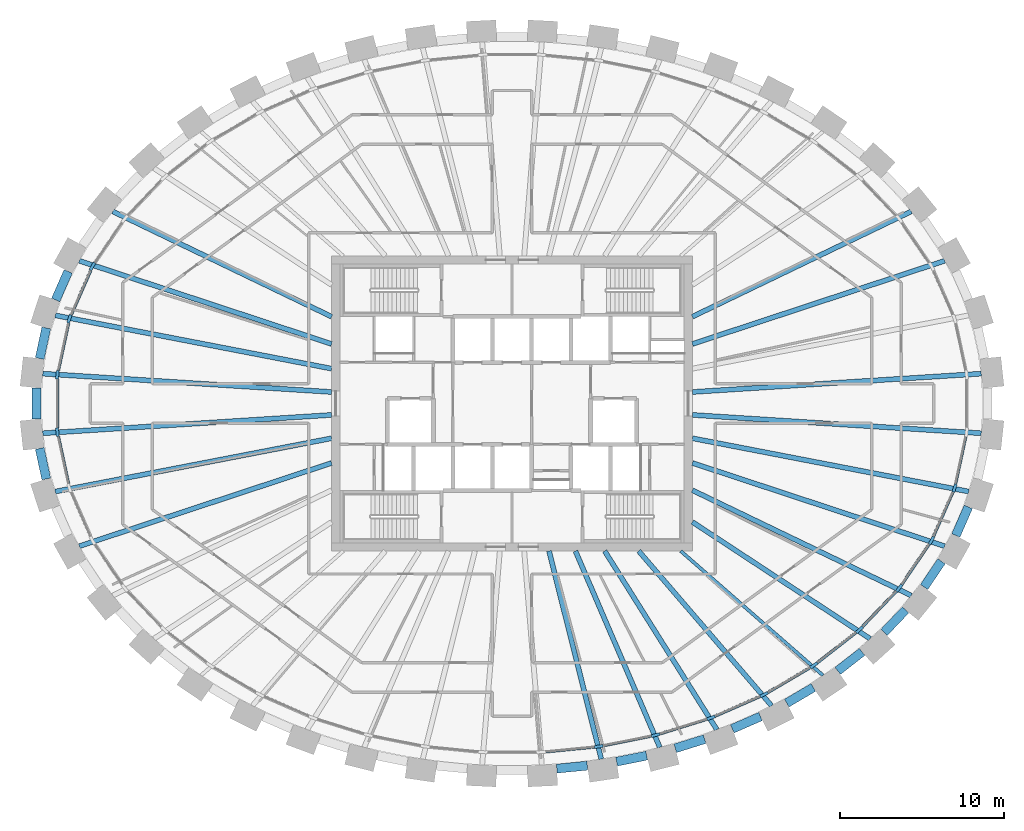
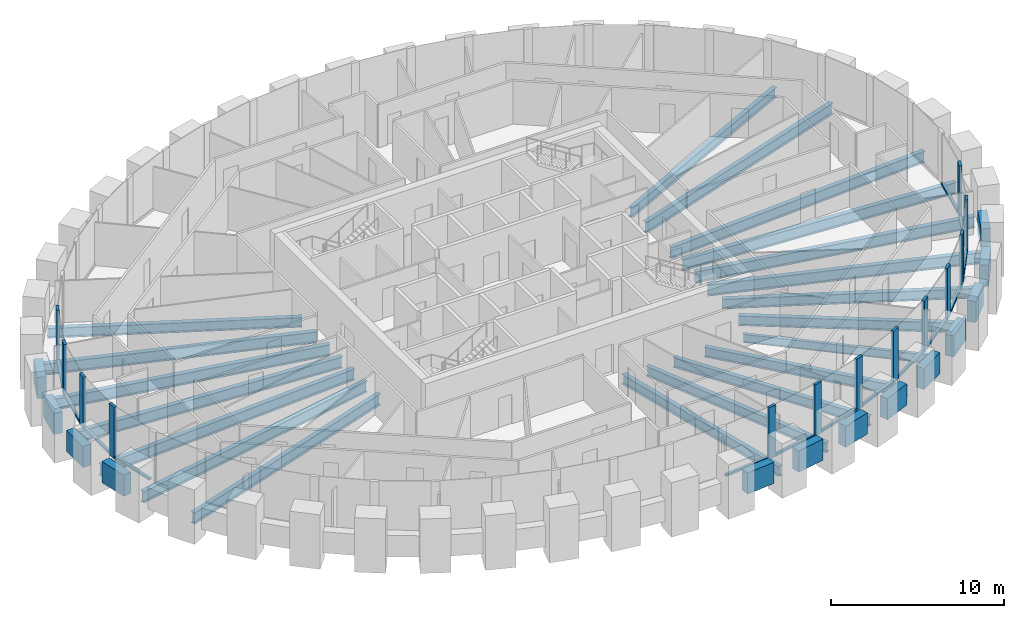
# One storey, part 2 of 11: 33 beams, 27 members, 1 element without a shape of its own.
"""IFC4 building model written with IfcOpenShell, lengths in metres."""

from ifc_helpers import new_model, si_unit, direction, frame, origin, origin_2d, place, context, subcontext, project, spatial, rectangle, i_section, extrude, source, transform, mapped, material, material_profile, profile_set, type_object, element, aggregate, save


model = new_model("IFC4")

# Units and contexts
model_context = context("Model", 3, precision=1e-05, world=origin(), true_north=direction((0.0, 1.0)))
body_context = subcontext(model_context, "Body", "Model", "MODEL_VIEW")
ifc_project = project(units=[si_unit("LENGTHUNIT", "METRE"), si_unit("AREAUNIT", "SQUARE_METRE"), si_unit("VOLUMEUNIT", "CUBIC_METRE"), si_unit("PLANEANGLEUNIT", "RADIAN"), si_unit("MASSUNIT", "GRAM", prefix="KILO")], contexts=[model_context])

# Site, building, storey
site_placement = place(None, origin())
site = spatial("IfcSite", under=ifc_project, at=site_placement, CompositionType="ELEMENT")
building_placement = place(site_placement, origin())
building = spatial("IfcBuilding", under=site, at=building_placement, Name="Embergate Tower", CompositionType="ELEMENT")
storey_placement = place(building_placement, frame((0.0, 0.0, 328.60009765625)))
storey = spatial("IfcBuildingStorey", under=building, at=storey_placement, Name="L77", CompositionType="ELEMENT", Elevation=328.60009765625)

# Beams
ifc_material_1 = material(Name="Concrete C50", Category="concrete")
ifc_material_profile_1 = material_profile(ifc_material_1, rectangle(XDim=0.550048828125, YDim=1.5, at=origin_2d()), Name="RC 550x1500")
ifc_profile_set_1 = profile_set([ifc_material_profile_1], Name="Concrete C50")
beam_type_1 = type_object("IfcBeamType", Name="Spandrel beam RC 550x1500 C50", PredefinedType="BEAM", material=ifc_profile_set_1)
shared_shape_1 = source(origin(), body_context, "Body", "SweptSolid", [
    extrude(rectangle(XDim=0.550048828125, YDim=1.5, at=origin_2d()), origin(), (0.0, 0.0, 1.0), 1.904541015625),
])
for number, where, z_axis, x_axis, name in (
    (1, (-28.40087890625, 4.60498046875, 0.0), (-0.210098077345, -0.977680314774, 0.0), (0.977680314774, -0.210098077345, 0.0), "SPN-L77-20"),
    (2, (-28.801025390625, -2.742919921875, 0.0), (0.210098077345, -0.977680314774, 0.0), (0.977680314774, 0.210098077345, 0.0), "SPN-L77-22"),
):
    element("IfcBeam", number, at=place(storey_placement, frame(where, z_axis=z_axis, x_axis=x_axis)), inside=storey, type_object=beam_type_1, Name=name, PredefinedType="BEAM", context=body_context, shape_type="MappedRepresentation", body=[
        mapped(shared_shape_1, transform((0.0, 0.0, 0.0))),
    ])
shared_shape_2 = source(origin(), body_context, "Body", "SweptSolid", [
    extrude(rectangle(XDim=0.550048828125, YDim=1.5, at=origin_2d()), origin(), (0.0, 0.0, 1.0), 1.897705078125),
])
for number, where, z_axis, x_axis, name in (
    (3, (-27.06591796875, 8.049072265625, 0.0), (-0.401513845594, -0.915852953151, 0.0), (0.915852953151, -0.401513845594, 0.0), "SPN-L77-19"),
    (4, (27.06591796875, -8.049072265625, 0.0), (0.401513845594, 0.915852953151, 0.0), (-0.915852953151, 0.401513845594, 0.0), "SPN-L77-41"),
):
    element("IfcBeam", number, at=place(storey_placement, frame(where, z_axis=z_axis, x_axis=x_axis)), inside=storey, type_object=beam_type_1, Name=name, PredefinedType="BEAM", context=body_context, shape_type="MappedRepresentation", body=[
        mapped(shared_shape_2, transform((0.0, 0.0, 0.0))),
    ])
shared_shape_3 = source(origin(), body_context, "Body", "SweptSolid", [
    extrude(rectangle(XDim=0.550048828125, YDim=1.5, at=origin_2d()), origin(), (0.0, 0.0, 1.0), 1.893798828125),
])
beam_1_placement = place(storey_placement, frame((25.12890625, -11.18994140625, 0.0), z_axis=(0.562440477268, 0.826837777034, 0.0), x_axis=(-0.826837777034, 0.562440477268, 0.0)))
element("IfcBeam", 5, at=beam_1_placement, inside=storey, type_object=beam_type_1, Name="SPN-L77-40", PredefinedType="BEAM", context=body_context, shape_type="MappedRepresentation", body=[
    mapped(shared_shape_3, transform((0.0, 0.0, 0.0))),
])
shared_shape_4 = source(origin(), body_context, "Body", "SweptSolid", [
    extrude(rectangle(XDim=0.550048828125, YDim=1.5, at=origin_2d()), origin(), (0.0, 0.0, 1.0), 1.8876953125),
])
beam_2_placement = place(storey_placement, frame((22.695068359375, -13.9560546875, 0.0), z_axis=(0.69022655599, 0.723593325982, 0.0), x_axis=(-0.723593325982, 0.69022655599, 0.0)))
element("IfcBeam", 6, at=beam_2_placement, inside=storey, type_object=beam_type_1, Name="SPN-L77-39", PredefinedType="BEAM", context=body_context, shape_type="MappedRepresentation", body=[
    mapped(shared_shape_4, transform((0.0, 0.0, 0.0))),
])
shared_shape_5 = source(origin(), body_context, "Body", "SweptSolid", [
    extrude(rectangle(XDim=0.550048828125, YDim=1.5, at=origin_2d()), origin(), (0.0, 0.0, 1.0), 1.88232421875),
])
beam_3_placement = place(storey_placement, frame((19.864013671875, -16.30810546875, 0.0), z_axis=(0.788303508782, 0.615286582043, 0.0), x_axis=(-0.615286582043, 0.788303508782, 0.0)))
element("IfcBeam", 7, at=beam_3_placement, inside=storey, type_object=beam_type_1, Name="SPN-L77-38", PredefinedType="BEAM", context=body_context, shape_type="MappedRepresentation", body=[
    mapped(shared_shape_5, transform((0.0, 0.0, 0.0))),
])
shared_shape_6 = source(origin(), body_context, "Body", "SweptSolid", [
    extrude(rectangle(XDim=0.550048828125, YDim=1.5, at=origin_2d()), origin(), (0.0, 0.0, 1.0), 1.87939453125),
])
beam_4_placement = place(storey_placement, frame((16.756103515625, -18.27294921875, 0.0), z_axis=(0.861930875636, 0.507025803708, 0.0), x_axis=(-0.507025803708, 0.861930875636, 0.0)))
element("IfcBeam", 8, at=beam_4_placement, inside=storey, type_object=beam_type_1, Name="SPN-L77-37", PredefinedType="BEAM", context=body_context, shape_type="MappedRepresentation", body=[
    mapped(shared_shape_6, transform((0.0, 0.0, 0.0))),
])
shared_shape_7 = source(origin(), body_context, "Body", "SweptSolid", [
    extrude(rectangle(XDim=0.550048828125, YDim=1.5, at=origin_2d()), origin(), (0.0, 0.0, 1.0), 1.876708984375),
])
beam_5_placement = place(storey_placement, frame((13.43310546875, -19.842041015625, 0.0), z_axis=(0.916452657221, 0.400143133231, 0.0), x_axis=(-0.400143133231, 0.916452657221, 0.0)))
element("IfcBeam", 9, at=beam_5_placement, inside=storey, type_object=beam_type_1, Name="SPN-L77-36", PredefinedType="BEAM", context=body_context, shape_type="MappedRepresentation", body=[
    mapped(shared_shape_7, transform((0.0, 0.0, 0.0))),
])
shared_shape_8 = source(origin(), body_context, "Body", "SweptSolid", [
    extrude(rectangle(XDim=0.550048828125, YDim=1.5, at=origin_2d()), origin(), (0.0, 0.0, 1.0), 1.873779296875),
])
for number, where, z_axis, x_axis, name in (
    (10, (6.376953125, -21.842041015625, 0.0), (0.980404898084, 0.196992984173, 0.0), (-0.196992984173, 0.980404898084, 0.0), "SPN-L77-34"),
    (11, (9.9580078125, -21.028076171875, 0.0), (0.954776255033, 0.297325247542, 0.0), (-0.297325247542, 0.954776255033, 0.0), "SPN-L77-35"),
):
    element("IfcBeam", number, at=place(storey_placement, frame(where, z_axis=z_axis, x_axis=x_axis)), inside=storey, type_object=beam_type_1, Name=name, PredefinedType="BEAM", context=body_context, shape_type="MappedRepresentation", body=[
        mapped(shared_shape_8, transform((0.0, 0.0, 0.0))),
    ])
shared_shape_9 = source(origin(), body_context, "Body", "SweptSolid", [
    extrude(rectangle(XDim=0.550048828125, YDim=1.5, at=origin_2d()), origin(), (0.0, 0.0, 1.0), 1.87109375),
])
beam_6_placement = place(storey_placement, frame((2.73193359375, -22.27099609375, 0.0), z_axis=(0.995148946648, 0.098379743775, 0.0), x_axis=(-0.098379743775, 0.995148946648, 0.0)))
element("IfcBeam", 12, at=beam_6_placement, inside=storey, type_object=beam_type_1, Name="SPN-L77-33", PredefinedType="BEAM", context=body_context, shape_type="MappedRepresentation", body=[
    mapped(shared_shape_9, transform((0.0, 0.0, 0.0))),
])
shared_shape_10 = source(origin(), body_context, "Body", "SweptSolid", [
    extrude(rectangle(XDim=0.550048828125, YDim=1.5, at=origin_2d()), origin(), (0.0, 0.0, 1.0), 1.90576171875),
])
beam_7_placement = place(storey_placement, frame((-28.991943359375, 0.952880859375, 0.0), z_axis=(0.0, -1.0, 0.0), x_axis=(1.0, 0.0, 0.0)))
element("IfcBeam", 13, at=beam_7_placement, inside=storey, type_object=beam_type_1, Name="SPN-L77-21", PredefinedType="BEAM", context=body_context, shape_type="MappedRepresentation", body=[
    mapped(shared_shape_10, transform((0.0, 0.0, 0.0))),
])
ifc_material_2 = material(Name="Steel Q355B", Category="steel")
ifc_material_profile_2 = material_profile(ifc_material_2, i_section(OverallWidth=0.300048828125, OverallDepth=0.800048828125, WebThickness=0.013916015625, FlangeThickness=0.02587890625, FilletRadius=0.028076171875, at=origin_2d()), Name="HN 800x300x14x26")
ifc_profile_set_2 = profile_set([ifc_material_profile_2], Name="Steel Q355 grade B")
beam_type_2 = type_object("IfcBeamType", Name="Radial girder HN 800x300x14x26", PredefinedType="BEAM", material=ifc_profile_set_2)
shared_shape_11 = source(origin(), body_context, "Body", "SweptSolid", [
    extrude(i_section(OverallWidth=0.300048828125, OverallDepth=0.800048828125, WebThickness=0.013916015625, FlangeThickness=0.02587890625, FilletRadius=0.028076171875, at=origin_2d()), origin(), (0.0, 0.0, 1.0), 17.65234375),
])
for number, where, z_axis, x_axis, name in (
    (14, (28.616943359375, 1.818115234375, -0.60009765625), (-0.997988286381, -0.063398582364, 0.0), (0.063398582364, -0.997988286381, 0.0), "GIR-L77-00"),
    (15, (-28.616943359375, 1.818115234375, -0.60009765625), (0.997988286381, -0.063398582364, 0.0), (0.063398582364, 0.997988286381, 0.0), "GIR-L77-21"),
    (16, (-28.616943359375, -1.818115234375, -0.60009765625), (0.997988286381, 0.063398582364, 0.0), (-0.063398582364, 0.997988286381, 0.0), "GIR-L77-22"),
    (17, (28.616943359375, -1.818115234375, -0.60009765625), (-0.997988286381, 0.063398582364, 0.0), (-0.063398582364, -0.997988286381, 0.0), "GIR-L77-43"),
):
    element("IfcBeam", number, at=place(storey_placement, frame(where, z_axis=z_axis, x_axis=x_axis)), inside=storey, type_object=beam_type_2, Name=name, PredefinedType="BEAM", context=body_context, shape_type="MappedRepresentation", body=[
        mapped(shared_shape_11, transform((0.0, 0.0, 0.0))),
    ])
shared_shape_12 = source(origin(), body_context, "Body", "SweptSolid", [
    extrude(i_section(OverallWidth=0.300048828125, OverallDepth=0.800048828125, WebThickness=0.013916015625, FlangeThickness=0.02587890625, FilletRadius=0.028076171875, at=origin_2d()), origin(), (0.0, 0.0, 1.0), 17.162841796875),
])
for number, where, z_axis, x_axis, name in (
    (18, (-27.85205078125, 5.373046875, -0.60009765625), (0.981896091736, -0.189420339547, 0.0), (0.189420339547, 0.981896091736, 0.0), "GIR-L77-20"),
    (19, (-27.85205078125, -5.373046875, -0.60009765625), (0.981896091736, 0.189420339547, 0.0), (-0.189420339547, 0.981896091736, 0.0), "GIR-L77-23"),
    (20, (27.85205078125, -5.373046875, -0.60009765625), (-0.981896091736, 0.189420339547, 0.0), (-0.189420339547, -0.981896091736, 0.0), "GIR-L77-42"),
):
    element("IfcBeam", number, at=place(storey_placement, frame(where, z_axis=z_axis, x_axis=x_axis)), inside=storey, type_object=beam_type_2, Name=name, PredefinedType="BEAM", context=body_context, shape_type="MappedRepresentation", body=[
        mapped(shared_shape_12, transform((0.0, 0.0, 0.0))),
    ])
shared_shape_13 = source(origin(), body_context, "Body", "SweptSolid", [
    extrude(i_section(OverallWidth=0.300048828125, OverallDepth=0.800048828125, WebThickness=0.013916015625, FlangeThickness=0.02587890625, FilletRadius=0.028076171875, at=origin_2d()), origin(), (0.0, 0.0, 1.0), 16.20654296875),
])
for number, where, z_axis, x_axis, name in (
    (21, (26.39111328125, 8.7041015625, -0.60009765625), (-0.949681803932, -0.313216333037, 0.0), (0.313216333037, -0.949681803932, 0.0), "GIR-L77-02"),
    (22, (-26.39111328125, 8.7041015625, -0.60009765625), (0.949681803932, -0.313216333037, 0.0), (0.313216333037, 0.949681803932, 0.0), "GIR-L77-19"),
    (23, (-26.39111328125, -8.7041015625, -0.60009765625), (0.949681803932, 0.313216333037, 0.0), (-0.313216333037, 0.949681803932, 0.0), "GIR-L77-24"),
    (24, (26.39111328125, -8.7041015625, -0.60009765625), (-0.949681803932, 0.313216333037, 0.0), (-0.313216333037, -0.949681803932, 0.0), "GIR-L77-41"),
):
    element("IfcBeam", number, at=place(storey_placement, frame(where, z_axis=z_axis, x_axis=x_axis)), inside=storey, type_object=beam_type_2, Name=name, PredefinedType="BEAM", context=body_context, shape_type="MappedRepresentation", body=[
        mapped(shared_shape_13, transform((0.0, 0.0, 0.0))),
    ])
ifc_material_profile_3 = material_profile(ifc_material_2, i_section(OverallWidth=0.300048828125, OverallDepth=0.699951171875, WebThickness=0.012939453125, FlangeThickness=0.02392578125, FilletRadius=0.01806640625, at=origin_2d()), Name="HN 700x300x13x24")
ifc_profile_set_3 = profile_set([ifc_material_profile_3], Name="Steel Q355 grade B")
beam_type_3 = type_object("IfcBeamType", Name="Radial girder HN 700x300x13x24", PredefinedType="BEAM", material=ifc_profile_set_3)
shared_shape_14 = source(origin(), body_context, "Body", "SweptSolid", [
    extrude(i_section(OverallWidth=0.300048828125, OverallDepth=0.699951171875, WebThickness=0.012939453125, FlangeThickness=0.02392578125, FilletRadius=0.01806640625, at=origin_2d()), origin(), (0.0, 0.0, 1.0), 14.808837890625),
])
for number, where, z_axis, x_axis, name in (
    (25, (24.344970703125, 11.7119140625, -0.550048828125), (-0.90114505666, -0.43351768921, 0.0), (0.43351768921, -0.90114505666, 0.0), "GIR-L77-03"),
    (26, (-24.344970703125, 11.7119140625, -0.550048828125), (0.90114505666, -0.43351768921, 0.0), (0.43351768921, 0.90114505666, 0.0), "GIR-L77-18"),
    (27, (24.344970703125, -11.7119140625, -0.550048828125), (-0.90114505666, 0.43351768921, 0.0), (-0.43351768921, -0.90114505666, 0.0), "GIR-L77-40"),
):
    element("IfcBeam", number, at=place(storey_placement, frame(where, z_axis=z_axis, x_axis=x_axis)), inside=storey, type_object=beam_type_3, Name=name, PredefinedType="BEAM", context=body_context, shape_type="MappedRepresentation", body=[
        mapped(shared_shape_14, transform((0.0, 0.0, 0.0))),
    ])
shared_shape_15 = source(origin(), body_context, "Body", "SweptSolid", [
    extrude(i_section(OverallWidth=0.300048828125, OverallDepth=0.699951171875, WebThickness=0.012939453125, FlangeThickness=0.02392578125, FilletRadius=0.01806640625, at=origin_2d()), origin(), (0.0, 0.0, 1.0), 12.963134765625),
])
beam_8_placement = place(storey_placement, frame((21.833984375, -14.344970703125, -0.550048828125), z_axis=(-0.835760548257, 0.549094077529, 0.0), x_axis=(-0.549094077529, -0.835760548257, 0.0)))
element("IfcBeam", 28, at=beam_8_placement, inside=storey, type_object=beam_type_3, Name="GIR-L77-39", PredefinedType="BEAM", context=body_context, shape_type="MappedRepresentation", body=[
    mapped(shared_shape_15, transform((0.0, 0.0, 0.0))),
])
ifc_material_profile_4 = material_profile(ifc_material_2, i_section(OverallWidth=0.199951171875, OverallDepth=0.60009765625, WebThickness=0.010986328125, FlangeThickness=0.01708984375, FilletRadius=0.012939453125, at=origin_2d()), Name="HN 600x200x11x17")
ifc_profile_set_4 = profile_set([ifc_material_profile_4], Name="Steel Q355 grade B")
beam_type_4 = type_object("IfcBeamType", Name="Radial girder HN 600x200x11x17", PredefinedType="BEAM", material=ifc_profile_set_4)
shared_shape_16 = source(origin(), body_context, "Body", "SweptSolid", [
    extrude(i_section(OverallWidth=0.199951171875, OverallDepth=0.60009765625, WebThickness=0.010986328125, FlangeThickness=0.01708984375, FilletRadius=0.012939453125, at=origin_2d()), origin(), (0.0, 0.0, 1.0), 11.52197265625),
])
beam_9_placement = place(storey_placement, frame((18.965087890625, -16.5849609375, -0.5), z_axis=(-0.752748620868, 0.658308069054, 0.0), x_axis=(-0.658308069054, -0.752748620868, 0.0)))
element("IfcBeam", 29, at=beam_9_placement, inside=storey, type_object=beam_type_4, Name="GIR-L77-38", PredefinedType="BEAM", context=body_context, shape_type="MappedRepresentation", body=[
    mapped(shared_shape_16, transform((0.0, 0.0, 0.0))),
])
shared_shape_17 = source(origin(), body_context, "Body", "SweptSolid", [
    extrude(i_section(OverallWidth=0.300048828125, OverallDepth=0.699951171875, WebThickness=0.012939453125, FlangeThickness=0.02392578125, FilletRadius=0.01806640625, at=origin_2d()), origin(), (0.0, 0.0, 1.0), 12.43115234375),
])
beam_10_placement = place(storey_placement, frame((15.826904296875, -18.430908203125, -0.550048828125), z_axis=(-0.651497878896, 0.758650455608, 0.0), x_axis=(-0.758650455608, -0.651497878896, 0.0)))
element("IfcBeam", 30, at=beam_10_placement, inside=storey, type_object=beam_type_3, Name="GIR-L77-37", PredefinedType="BEAM", context=body_context, shape_type="MappedRepresentation", body=[
    mapped(shared_shape_17, transform((0.0, 0.0, 0.0))),
])
shared_shape_18 = source(origin(), body_context, "Body", "SweptSolid", [
    extrude(i_section(OverallWidth=0.300048828125, OverallDepth=0.699951171875, WebThickness=0.012939453125, FlangeThickness=0.02392578125, FilletRadius=0.01806640625, at=origin_2d()), origin(), (0.0, 0.0, 1.0), 12.8583984375),
])
beam_11_placement = place(storey_placement, frame((12.490966796875, -19.888916015625, -0.550048828125), z_axis=(-0.531859653709, 0.846832515174, 0.0), x_axis=(-0.846832515174, -0.531859653709, 0.0)))
element("IfcBeam", 31, at=beam_11_placement, inside=storey, type_object=beam_type_3, Name="GIR-L77-36", PredefinedType="BEAM", context=body_context, shape_type="MappedRepresentation", body=[
    mapped(shared_shape_18, transform((0.0, 0.0, 0.0))),
])
shared_shape_19 = source(origin(), body_context, "Body", "SweptSolid", [
    extrude(i_section(OverallWidth=0.300048828125, OverallDepth=0.699951171875, WebThickness=0.012939453125, FlangeThickness=0.02392578125, FilletRadius=0.01806640625, at=origin_2d()), origin(), (0.0, 0.0, 1.0), 13.0302734375),
])
beam_12_placement = place(storey_placement, frame((9.014892578125, -20.970947265625, -0.550048828125), z_axis=(-0.394929867162, 0.918711271305, 0.0), x_axis=(-0.918711271305, -0.394929867162, 0.0)))
element("IfcBeam", 32, at=beam_12_placement, inside=storey, type_object=beam_type_3, Name="GIR-L77-35", PredefinedType="BEAM", context=body_context, shape_type="MappedRepresentation", body=[
    mapped(shared_shape_19, transform((0.0, 0.0, 0.0))),
])
shared_shape_20 = source(origin(), body_context, "Body", "SweptSolid", [
    extrude(i_section(OverallWidth=0.300048828125, OverallDepth=0.699951171875, WebThickness=0.012939453125, FlangeThickness=0.02392578125, FilletRadius=0.01806640625, at=origin_2d()), origin(), (0.0, 0.0, 1.0), 13.080810546875),
])
beam_13_placement = place(storey_placement, frame((5.444091796875, -21.68701171875, -0.550048828125), z_axis=(-0.243492869498, 0.969902687131, 0.0), x_axis=(-0.969902687131, -0.243492869498, 0.0)))
element("IfcBeam", 33, at=beam_13_placement, inside=storey, type_object=beam_type_3, Name="GIR-L77-34", PredefinedType="BEAM", context=body_context, shape_type="MappedRepresentation", body=[
    mapped(shared_shape_20, transform((0.0, 0.0, 0.0))),
])

# Curtain wall, members
ifc_material_3 = material(Name="Aluminium and glass", Category="aluminium")
curtain_wall_type = type_object("IfcCurtainWallType", Name="Recessed office glazing", PredefinedType="NOTDEFINED", material=ifc_material_3)
curtain_wall_placement = place(storey_placement, origin())
curtain_wall = element("IfcCurtainWall", 34, at=curtain_wall_placement, inside=storey, type_object=curtain_wall_type, Name="Recessed office glazing ring", ObjectType="RECESSED OFFICE GLAZING", PredefinedType="USERDEFINED")
ifc_material_4 = material(Name="Aluminium, thermally broken", Category="aluminium")
ifc_material_profile_5 = material_profile(ifc_material_4, rectangle(XDim=0.179931640625, YDim=0.52001953125, at=origin_2d()), Name="AL 520x180")
ifc_profile_set_5 = profile_set([ifc_material_profile_5], Name="Aluminium, thermally broken")
member_type_1 = type_object("IfcMemberType", Name="Office mullion", PredefinedType="MULLION", material=ifc_profile_set_5)
shared_shape_21 = source(origin(), body_context, "Body", "SweptSolid", [
    extrude(rectangle(XDim=0.179931640625, YDim=0.52001953125, at=origin_2d()), origin(), (0.0, 0.0, 1.0), 3.64990234375),
])
member_1_placement = place(storey_placement, frame((-25.5869140625, 8.360595703125, 0.0), z_axis=(0.0, 0.0, 1.0), x_axis=(0.874987531332, -0.484145453364, 0.0)))
member_1 = element("IfcMember", 35, at=member_1_placement, type_object=member_type_1, Name="CW mullion 20", PredefinedType="MULLION", context=body_context, shape_type="MappedRepresentation", body=[
    mapped(shared_shape_21, transform((0.0, 0.0, 0.0))),
])
member_2_placement = place(storey_placement, frame((-26.991943359375, 5.157470703125, 0.0), z_axis=(0.0, 0.0, 1.0), x_axis=(0.951489743263, -0.307680464875, 0.0)))
member_2 = element("IfcMember", 36, at=member_2_placement, type_object=member_type_1, Name="CW mullion 21", PredefinedType="MULLION", context=body_context, shape_type="MappedRepresentation", body=[
    mapped(shared_shape_21, transform((0.0, 0.0, 0.0))),
])
member_3_placement = place(storey_placement, frame((-27.7265625, 1.744384765625, 0.0), z_axis=(0.0, 0.0, 1.0), x_axis=(0.994383846503, -0.105833670514, 0.0)))
member_3 = element("IfcMember", 37, at=member_3_placement, type_object=member_type_1, Name="CW mullion 22", PredefinedType="MULLION", context=body_context, shape_type="MappedRepresentation", body=[
    mapped(shared_shape_21, transform((0.0, 0.0, 0.0))),
])
member_4_placement = place(storey_placement, frame((-27.7265625, -1.744384765625, 0.0), z_axis=(0.0, 0.0, 1.0), x_axis=(0.994383846503, 0.105833670514, 0.0)))
member_4 = element("IfcMember", 38, at=member_4_placement, type_object=member_type_1, Name="CW mullion 23", PredefinedType="MULLION", context=body_context, shape_type="MappedRepresentation", body=[
    mapped(shared_shape_21, transform((0.0, 0.0, 0.0))),
])
member_5_placement = place(storey_placement, frame((5.29150390625, -20.920654296875, 0.0), z_axis=(0.0, 0.0, 1.0), x_axis=(-0.147408930294, 0.989075632735, 0.0)))
member_5 = element("IfcMember", 39, at=member_5_placement, type_object=member_type_1, Name="CW mullion 35", PredefinedType="MULLION", context=body_context, shape_type="MappedRepresentation", body=[
    mapped(shared_shape_21, transform((0.0, 0.0, 0.0))),
])
member_6_placement = place(storey_placement, frame((8.760009765625, -20.22509765625, 0.0), z_axis=(0.0, 0.0, 1.0), x_axis=(-0.24730680803, 0.968937223303, 0.0)))
member_6 = element("IfcMember", 40, at=member_6_placement, type_object=member_type_1, Name="CW mullion 36", PredefinedType="MULLION", context=body_context, shape_type="MappedRepresentation", body=[
    mapped(shared_shape_21, transform((0.0, 0.0, 0.0))),
])
member_7_placement = place(storey_placement, frame((12.135498046875, -19.173583984375, 0.0), z_axis=(0.0, 0.0, 1.0), x_axis=(-0.349496141799, 0.936937803094, 0.0)))
member_7 = element("IfcMember", 41, at=member_7_placement, type_object=member_type_1, Name="CW mullion 37", PredefinedType="MULLION", context=body_context, shape_type="MappedRepresentation", body=[
    mapped(shared_shape_21, transform((0.0, 0.0, 0.0))),
])
member_8_placement = place(storey_placement, frame((15.371826171875, -17.758544921875, 0.0), z_axis=(0.0, 0.0, 1.0), x_axis=(-0.454502052684, 0.890745689917, 0.0)))
member_8 = element("IfcMember", 42, at=member_8_placement, type_object=member_type_1, Name="CW mullion 38", PredefinedType="MULLION", context=body_context, shape_type="MappedRepresentation", body=[
    mapped(shared_shape_21, transform((0.0, 0.0, 0.0))),
])
member_9_placement = place(storey_placement, frame((18.4130859375, -15.970703125, 0.0), z_axis=(0.0, 0.0, 1.0), x_axis=(-0.562204628156, 0.826998159659, 0.0)))
member_9 = element("IfcMember", 43, at=member_9_placement, type_object=member_type_1, Name="CW mullion 39", PredefinedType="MULLION", context=body_context, shape_type="MappedRepresentation", body=[
    mapped(shared_shape_21, transform((0.0, 0.0, 0.0))),
])
member_10_placement = place(storey_placement, frame((21.189453125, -13.8037109375, 0.0), z_axis=(0.0, 0.0, 1.0), x_axis=(-0.671212302811, 0.741265164807, 0.0)))
member_10 = element("IfcMember", 44, at=member_10_placement, type_object=member_type_1, Name="CW mullion 40", PredefinedType="MULLION", context=body_context, shape_type="MappedRepresentation", body=[
    mapped(shared_shape_21, transform((0.0, 0.0, 0.0))),
])
member_11_placement = place(storey_placement, frame((23.615234375, -11.260009765625, 0.0), z_axis=(0.0, 0.0, 1.0), x_axis=(-0.777856112038, 0.628442414996, 0.0)))
member_11 = element("IfcMember", 45, at=member_11_placement, type_object=member_type_1, Name="CW mullion 41", PredefinedType="MULLION", context=body_context, shape_type="MappedRepresentation", body=[
    mapped(shared_shape_21, transform((0.0, 0.0, 0.0))),
])
member_12_placement = place(storey_placement, frame((25.5869140625, -8.360595703125, 0.0), z_axis=(0.0, 0.0, 1.0), x_axis=(-0.874987531332, 0.484145453364, 0.0)))
member_12 = element("IfcMember", 46, at=member_12_placement, type_object=member_type_1, Name="CW mullion 42", PredefinedType="MULLION", context=body_context, shape_type="MappedRepresentation", body=[
    mapped(shared_shape_21, transform((0.0, 0.0, 0.0))),
])
member_13_placement = place(storey_placement, frame((26.991943359375, -5.157470703125, 0.0), z_axis=(0.0, 0.0, 1.0), x_axis=(-0.951489743263, 0.307680464875, 0.0)))
member_13 = element("IfcMember", 47, at=member_13_placement, type_object=member_type_1, Name="CW mullion 43", PredefinedType="MULLION", context=body_context, shape_type="MappedRepresentation", body=[
    mapped(shared_shape_21, transform((0.0, 0.0, 0.0))),
])
ifc_material_profile_6 = material_profile(ifc_material_4, rectangle(XDim=0.179931640625, YDim=0.14990234375, at=origin_2d()), Name="AL 150x180")
ifc_profile_set_6 = profile_set([ifc_material_profile_6], Name="Aluminium, thermally broken")
member_type_2 = type_object("IfcMemberType", Name="Office sill transom", PredefinedType="USERDEFINED", material=ifc_profile_set_6)
shared_shape_22 = source(origin(), body_context, "Body", "SweptSolid", [
    extrude(rectangle(XDim=0.179931640625, YDim=0.14990234375, at=origin_2d()), origin(), (0.0, 0.0, 1.0), 2.971435546875),
])
member_14_placement = place(storey_placement, frame((-27.046630859375, 4.9033203125, 0.074951171875), z_axis=(-0.210426812924, -0.977609613498, 0.0), x_axis=(0.977609613498, -0.210426812924, 0.0)))
member_14 = element("IfcMember", 48, at=member_14_placement, type_object=member_type_2, Name="CW transom 21.1", ObjectType="TRANSOM", PredefinedType="USERDEFINED", context=body_context, shape_type="MappedRepresentation", body=[
    mapped(shared_shape_22, transform((0.0, 0.0, 0.0))),
])
member_15_placement = place(storey_placement, frame((-27.671875, -1.99853515625, 0.074951171875), z_axis=(0.210426812924, -0.977609613498, 0.0), x_axis=(0.977609613498, 0.210426812924, 0.0)))
member_15 = element("IfcMember", 49, at=member_15_placement, type_object=member_type_2, Name="CW transom 23.1", ObjectType="TRANSOM", PredefinedType="USERDEFINED", context=body_context, shape_type="MappedRepresentation", body=[
    mapped(shared_shape_22, transform((0.0, 0.0, 0.0))),
])
member_16_placement = place(storey_placement, frame((27.046630859375, -4.9033203125, 0.074951171875), z_axis=(0.210426812924, 0.977609613498, 0.0), x_axis=(-0.977609613498, 0.210426812924, 0.0)))
member_16 = element("IfcMember", 50, at=member_16_placement, type_object=member_type_2, Name="CW transom 43.1", ObjectType="TRANSOM", PredefinedType="USERDEFINED", context=body_context, shape_type="MappedRepresentation", body=[
    mapped(shared_shape_22, transform((0.0, 0.0, 0.0))),
])
shared_shape_23 = source(origin(), body_context, "Body", "SweptSolid", [
    extrude(rectangle(XDim=0.179931640625, YDim=0.14990234375, at=origin_2d()), origin(), (0.0, 0.0, 1.0), 2.977783203125),
])
member_17_placement = place(storey_placement, frame((-25.69140625, 8.12255859375, 0.074951171875), z_axis=(-0.401653050899, -0.915791912338, 0.0), x_axis=(0.915791912338, -0.401653050899, 0.0)))
member_17 = element("IfcMember", 51, at=member_17_placement, type_object=member_type_2, Name="CW transom 20.1", ObjectType="TRANSOM", PredefinedType="USERDEFINED", context=body_context, shape_type="MappedRepresentation", body=[
    mapped(shared_shape_23, transform((0.0, 0.0, 0.0))),
])
member_18_placement = place(storey_placement, frame((25.69140625, -8.12255859375, 0.074951171875), z_axis=(0.401653050899, 0.915791912338, 0.0), x_axis=(-0.915791912338, 0.401653050899, 0.0)))
member_18 = element("IfcMember", 52, at=member_18_placement, type_object=member_type_2, Name="CW transom 42.1", ObjectType="TRANSOM", PredefinedType="USERDEFINED", context=body_context, shape_type="MappedRepresentation", body=[
    mapped(shared_shape_23, transform((0.0, 0.0, 0.0))),
])
shared_shape_24 = source(origin(), body_context, "Body", "SweptSolid", [
    extrude(rectangle(XDim=0.179931640625, YDim=0.14990234375, at=origin_2d()), origin(), (0.0, 0.0, 1.0), 2.986328125),
])
member_19_placement = place(storey_placement, frame((23.761474609375, -11.045166015625, 0.074951171875), z_axis=(0.562354741313, 0.826896090766, 0.0), x_axis=(-0.826896090766, 0.562354741313, 0.0)))
member_19 = element("IfcMember", 53, at=member_19_placement, type_object=member_type_2, Name="CW transom 41.1", ObjectType="TRANSOM", PredefinedType="USERDEFINED", context=body_context, shape_type="MappedRepresentation", body=[
    mapped(shared_shape_24, transform((0.0, 0.0, 0.0))),
])
shared_shape_25 = source(origin(), body_context, "Body", "SweptSolid", [
    extrude(rectangle(XDim=0.179931640625, YDim=0.14990234375, at=origin_2d()), origin(), (0.0, 0.0, 1.0), 2.994873046875),
])
member_20_placement = place(storey_placement, frame((21.368896484375, -13.615478515625, 0.074951171875), z_axis=(0.690155764785, 0.723660846208, 0.0), x_axis=(-0.723660846208, 0.690155764785, 0.0)))
member_20 = element("IfcMember", 54, at=member_20_placement, type_object=member_type_2, Name="CW transom 40.1", ObjectType="TRANSOM", PredefinedType="USERDEFINED", context=body_context, shape_type="MappedRepresentation", body=[
    mapped(shared_shape_25, transform((0.0, 0.0, 0.0))),
])
shared_shape_26 = source(origin(), body_context, "Body", "SweptSolid", [
    extrude(rectangle(XDim=0.179931640625, YDim=0.14990234375, at=origin_2d()), origin(), (0.0, 0.0, 1.0), 3.002197265625),
])
member_21_placement = place(storey_placement, frame((18.617919921875, -15.810791015625, 0.074951171875), z_axis=(0.788317707507, 0.615268390241, 0.0), x_axis=(-0.615268390241, 0.788317707507, 0.0)))
member_21 = element("IfcMember", 55, at=member_21_placement, type_object=member_type_2, Name="CW transom 39.1", ObjectType="TRANSOM", PredefinedType="USERDEFINED", context=body_context, shape_type="MappedRepresentation", body=[
    mapped(shared_shape_26, transform((0.0, 0.0, 0.0))),
])
shared_shape_27 = source(origin(), body_context, "Body", "SweptSolid", [
    extrude(rectangle(XDim=0.179931640625, YDim=0.14990234375, at=origin_2d()), origin(), (0.0, 0.0, 1.0), 3.0078125),
])
member_22_placement = place(storey_placement, frame((15.595947265625, -17.626708984375, 0.074951171875), z_axis=(0.862063551855, 0.50680018998, 0.0), x_axis=(-0.50680018998, 0.862063551855, 0.0)))
member_22 = element("IfcMember", 56, at=member_22_placement, type_object=member_type_2, Name="CW transom 38.1", ObjectType="TRANSOM", PredefinedType="USERDEFINED", context=body_context, shape_type="MappedRepresentation", body=[
    mapped(shared_shape_27, transform((0.0, 0.0, 0.0))),
])
shared_shape_28 = source(origin(), body_context, "Body", "SweptSolid", [
    extrude(rectangle(XDim=0.179931640625, YDim=0.14990234375, at=origin_2d()), origin(), (0.0, 0.0, 1.0), 3.01220703125),
])
member_23_placement = place(storey_placement, frame((12.373779296875, -19.069580078125, 0.074951171875), z_axis=(0.91624473838, 0.400618995295, 0.0), x_axis=(-0.400618995295, 0.91624473838, 0.0)))
member_23 = element("IfcMember", 57, at=member_23_placement, type_object=member_type_2, Name="CW transom 37.1", ObjectType="TRANSOM", PredefinedType="USERDEFINED", context=body_context, shape_type="MappedRepresentation", body=[
    mapped(shared_shape_28, transform((0.0, 0.0, 0.0))),
])
shared_shape_29 = source(origin(), body_context, "Body", "SweptSolid", [
    extrude(rectangle(XDim=0.179931640625, YDim=0.14990234375, at=origin_2d()), origin(), (0.0, 0.0, 1.0), 3.01513671875),
])
member_24_placement = place(storey_placement, frame((9.00830078125, -20.147705078125, 0.074951171875), z_axis=(0.95477916578, 0.297315900335, 0.0), x_axis=(-0.297315900335, 0.95477916578, 0.0)))
member_24 = element("IfcMember", 58, at=member_24_placement, type_object=member_type_2, Name="CW transom 36.1", ObjectType="TRANSOM", PredefinedType="USERDEFINED", context=body_context, shape_type="MappedRepresentation", body=[
    mapped(shared_shape_29, transform((0.0, 0.0, 0.0))),
])
shared_shape_30 = source(origin(), body_context, "Body", "SweptSolid", [
    extrude(rectangle(XDim=0.179931640625, YDim=0.14990234375, at=origin_2d()), origin(), (0.0, 0.0, 1.0), 3.017578125),
])
member_25_placement = place(storey_placement, frame((5.54638671875, -20.869384765625, 0.074951171875), z_axis=(0.980484093773, 0.196598427912, 0.0), x_axis=(-0.196598427912, 0.980484093773, 0.0)))
member_25 = element("IfcMember", 59, at=member_25_placement, type_object=member_type_2, Name="CW transom 35.1", ObjectType="TRANSOM", PredefinedType="USERDEFINED", context=body_context, shape_type="MappedRepresentation", body=[
    mapped(shared_shape_30, transform((0.0, 0.0, 0.0))),
])
shared_shape_31 = source(origin(), body_context, "Body", "SweptSolid", [
    extrude(rectangle(XDim=0.179931640625, YDim=0.14990234375, at=origin_2d()), origin(), (0.0, 0.0, 1.0), 3.018798828125),
])
member_26_placement = place(storey_placement, frame((2.0283203125, -21.241455078125, 0.074951171875), z_axis=(0.995200768262, 0.097854130473, 0.0), x_axis=(-0.097854130473, 0.995200768262, 0.0)))
member_26 = element("IfcMember", 60, at=member_26_placement, type_object=member_type_2, Name="CW transom 34.1", ObjectType="TRANSOM", PredefinedType="USERDEFINED", context=body_context, shape_type="MappedRepresentation", body=[
    mapped(shared_shape_31, transform((0.0, 0.0, 0.0))),
])
shared_shape_32 = source(origin(), body_context, "Body", "SweptSolid", [
    extrude(rectangle(XDim=0.179931640625, YDim=0.14990234375, at=origin_2d()), origin(), (0.0, 0.0, 1.0), 2.96875),
])
member_27_placement = place(storey_placement, frame((-27.7265625, 1.484375, 0.074951171875), z_axis=(0.0, -1.0, 0.0), x_axis=(1.0, 0.0, 0.0)))
member_27 = element("IfcMember", 61, at=member_27_placement, type_object=member_type_2, Name="CW transom 22.1", ObjectType="TRANSOM", PredefinedType="USERDEFINED", context=body_context, shape_type="MappedRepresentation", body=[
    mapped(shared_shape_32, transform((0.0, 0.0, 0.0))),
])
aggregate(curtain_wall, [member_1, member_2, member_3, member_4, member_5, member_6, member_7, member_8, member_9, member_10, member_11, member_12, member_13, member_17, member_14, member_27, member_15, member_26, member_25, member_24, member_23, member_22, member_21, member_20, member_19, member_18, member_16])

save(model, "model.ifc")
